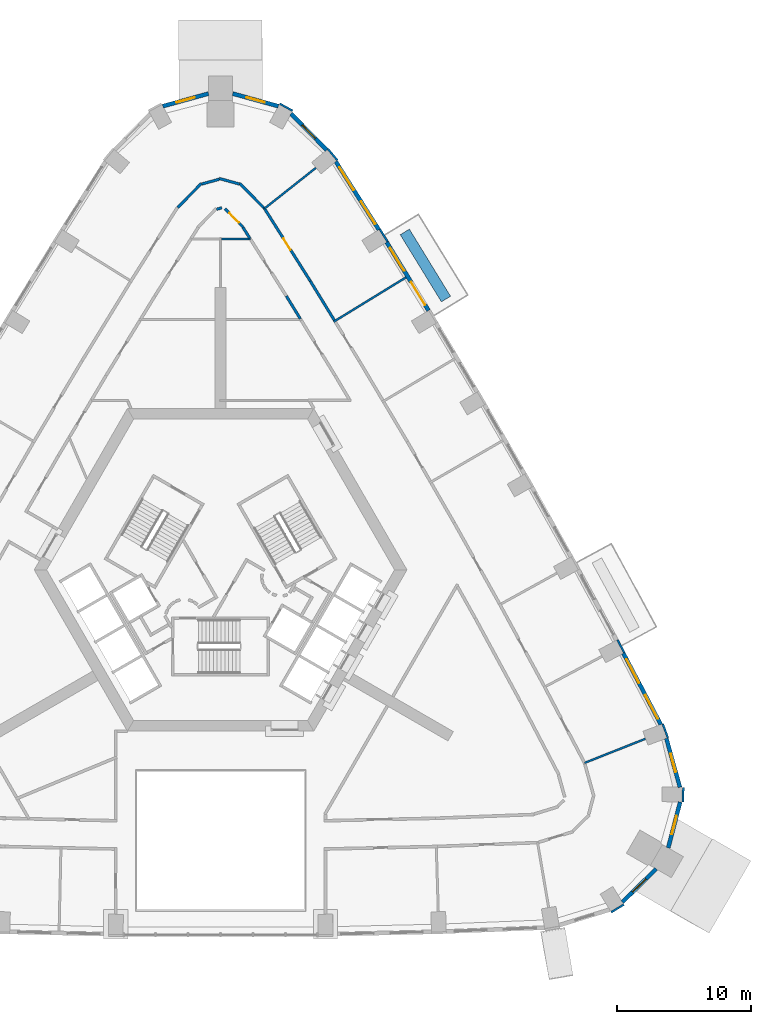
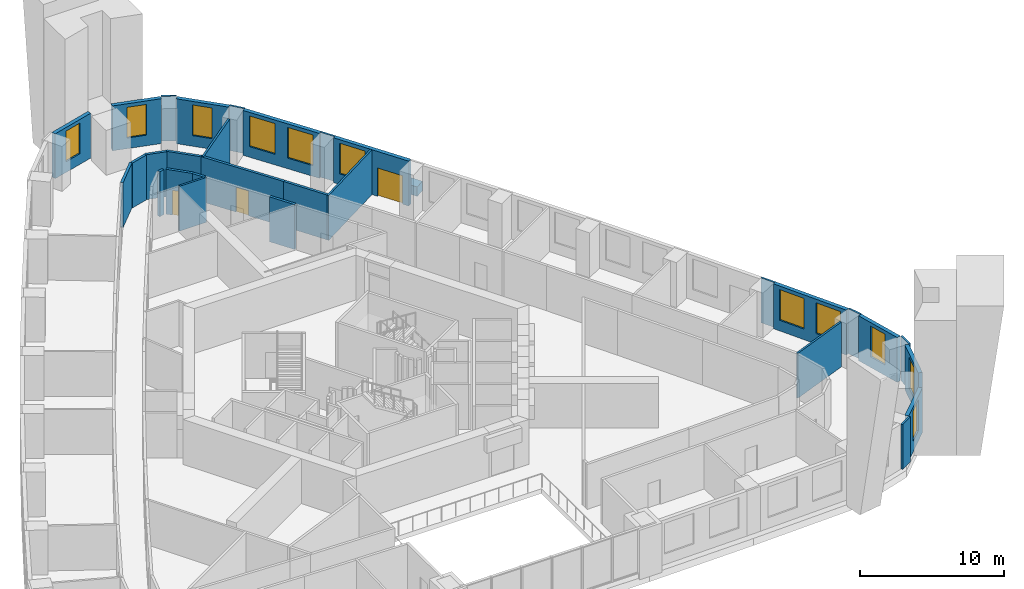
# One storey, part 10 of 15: 31 walls, 11 windows, 3 doors, 14 openings.
"""IFC4 building model written with IfcOpenShell, lengths in metres."""

import ifcopenshell
import ifcopenshell.guid

model = None  # the IFC model being written
_history = None  # IfcOwnerHistory: only IFC2X3 demands one
_inside = {}  # id of a spatial element -> (the spatial element, [elements in it])
_under = {}  # id of a project, library or spatial element -> (it, [spatial elements below it])
_declared = {}  # id of a project -> (the project, [libraries it declares])
_typed = {}  # id of a type object -> (the type object, [elements of that type])
_made_of = {}  # id of a material, layer set ... -> (it, [elements and type objects made of it])


def new_model(schema):
    """Start an empty IFC model of exactly this schema.

    Asked for "IFC4X3", IfcOpenShell would pick the latest addendum, in which some entities
    have other attributes; the version numbers below select the first issue.
    IFC2X3 requires an IfcOwnerHistory on every rooted entity: one is made here for all.
    """
    global model, _history
    if schema == "IFC4X3":
        model = ifcopenshell.file(schema_version=(4, 3, 0, 0))
    else:
        model = ifcopenshell.file(schema=schema)
    _inside.clear()
    _under.clear()
    _declared.clear()
    _typed.clear()
    _made_of.clear()
    _history = None
    if model.schema == "IFC2X3":
        org = make("IfcOrganization", Name="unknown")
        user = make(
            "IfcPersonAndOrganization",
            ThePerson=make("IfcPerson", FamilyName="unknown"),
            TheOrganization=org,
        )
        app = make(
            "IfcApplication",
            ApplicationDeveloper=org,
            Version="unknown",
            ApplicationFullName="unknown",
            ApplicationIdentifier="unknown",
        )
        _history = make(
            "IfcOwnerHistory",
            OwningUser=user,
            OwningApplication=app,
            ChangeAction="ADDED",
            CreationDate=0,
        )
    return model


def make(cls, **values):
    """One entity of the class cls with the attributes given. An attribute that is None is left unset."""
    return model.create_entity(
        cls, **{name: value for name, value in values.items() if value is not None}
    )


def rooted(cls, **values):
    """An entity with a GlobalId (a new one), such as an element, a storey or a relation."""
    return make(cls, GlobalId=ifcopenshell.guid.new(), OwnerHistory=_history, **values)


def si_unit(unit_type, name, prefix=None):
    """IfcSIUnit, for example si_unit("LENGTHUNIT", "METRE", prefix="MILLI")."""
    return make("IfcSIUnit", UnitType=unit_type, Prefix=prefix, Name=name)


def assignment(units):
    """IfcUnitAssignment: the units of a project."""
    return None if units is None else make("IfcUnitAssignment", Units=units)


def point(xyz):
    """IfcCartesianPoint."""
    return None if xyz is None else make("IfcCartesianPoint", Coordinates=xyz)


def direction(xyz):
    """IfcDirection."""
    return None if xyz is None else make("IfcDirection", DirectionRatios=xyz)


def frame(location, z_axis=None, x_axis=None):
    """IfcAxis2Placement3D, a coordinate frame: its origin and axes. An axis left out is left unset."""
    return make(
        "IfcAxis2Placement3D",
        Location=point(location),
        Axis=direction(z_axis),
        RefDirection=direction(x_axis),
    )


def frame_2d(location, x_axis=None):
    """IfcAxis2Placement2D, a coordinate frame in the plane: its origin and x axis."""
    return make(
        "IfcAxis2Placement2D", Location=point(location), RefDirection=direction(x_axis)
    )


def origin():
    """The frame at (0, 0, 0) with its axes left unset."""
    return frame((0.0, 0.0, 0.0))


def place(relative_to, where):
    """IfcLocalPlacement: puts the frame where relative to a parent placement (None: the world)."""
    return make(
        "IfcLocalPlacement", PlacementRelTo=relative_to, RelativePlacement=where
    )


def context(
    kind, dimensions, precision=None, world=None, true_north=None, identifier=None
):
    """IfcGeometricRepresentationContext, for example the 3D "Model" context."""
    return make(
        "IfcGeometricRepresentationContext",
        ContextIdentifier=identifier,
        ContextType=kind,
        CoordinateSpaceDimension=dimensions,
        Precision=precision,
        WorldCoordinateSystem=world,
        TrueNorth=true_north,
    )


def subcontext(parent, identifier, kind, view, scale=None):
    """IfcGeometricRepresentationSubContext, for example "Body" below "Model"."""
    return make(
        "IfcGeometricRepresentationSubContext",
        ContextIdentifier=identifier,
        ContextType=kind,
        ParentContext=parent,
        TargetScale=scale,
        TargetView=view,
    )


def project(units=None, contexts=None):
    """IfcProject with its units and contexts."""
    return rooted(
        "IfcProject",
        Name="project",
        RepresentationContexts=contexts,
        UnitsInContext=assignment(units),
    )


def spatial(cls, under=None, at=None, **own):
    """A site, building, storey or space (cls), placed at a placement, below another one or the project."""
    s = rooted(cls, ObjectPlacement=at, **own)
    if under is not None:
        _under.setdefault(under.id(), (under, []))[1].append(s)
    return s


def profile(cls, at=None, kind="AREA", **sizes):
    """A parametric profile (cls). Its sizes go by their IFC names, for example OverallWidth=200.0."""
    return make(cls, ProfileType=kind, Position=at, **sizes)


def rectangle(**sizes):
    """IfcRectangleProfileDef."""
    return profile("IfcRectangleProfileDef", **sizes)


def extrude(swept, where, along, depth):
    """IfcExtrudedAreaSolid: the profile swept, set in the frame where, extruded along a direction by depth."""
    return make(
        "IfcExtrudedAreaSolid",
        SweptArea=swept,
        Position=where,
        ExtrudedDirection=direction(along),
        Depth=depth,
    )


def shape(context_of_items, identifier, shape_type, items):
    """IfcShapeRepresentation: the items that make up one representation, for example the "Body"."""
    return make(
        "IfcShapeRepresentation",
        ContextOfItems=context_of_items,
        RepresentationIdentifier=identifier,
        RepresentationType=shape_type,
        Items=items,
    )


def material(Name=None, Category=None):
    """IfcMaterial."""
    return make("IfcMaterial", Name=Name, Category=Category)


def layer(
    of_material, thickness, ventilated=None, Name=None, Category=None, Priority=None
):
    """IfcMaterialLayer: one layer of a wall or slab, of a material (None: an air gap)."""
    return make(
        "IfcMaterialLayer",
        Material=of_material,
        LayerThickness=thickness,
        IsVentilated=ventilated,
        Name=Name,
        Category=Category,
        Priority=Priority,
    )


def layer_set(layers, Name=None):
    """IfcMaterialLayerSet."""
    return make("IfcMaterialLayerSet", MaterialLayers=layers, LayerSetName=Name)


def made_of(thing, what):
    """Note that an element or type object is made of a material, layer set ...; save() writes the relation."""
    if what is not None:
        _made_of.setdefault(what.id(), (what, []))[1].append(thing)
    return thing


def type_object(cls, material=None, **own):
    """A type object (cls), such as IfcWallType, which elements share."""
    return made_of(rooted(cls, **own), material)


def element(
    cls,
    number,
    at=None,
    inside=None,
    cuts=None,
    type_object=None,
    material=None,
    context=None,
    identifier="Body",
    shape_type=None,
    held_by="IfcProductDefinitionShape",
    body=None,
    shapes=None,
    **own,
):
    """One element of the class cls, such as IfcWall. Its Tag is "e" and its number.

    at: its placement. inside: the storey or other place that contains it. cuts: it is an
    opening in that element (IfcRelVoidsElement). A single representation is given by context,
    identifier, shape_type and body (its items); several are given by shapes. held_by: the class
    of the entity that holds the representations. save() writes the other relations.
    """
    e = rooted(cls, Tag="e%d" % number, ObjectPlacement=at, **own)
    if body is not None:
        shapes = [shape(context, identifier, shape_type, body)]
    if shapes is not None:
        e.Representation = make(held_by, Representations=shapes)
    if inside is not None:
        _inside.setdefault(inside.id(), (inside, []))[1].append(e)
    if cuts is not None:
        rooted(
            "IfcRelVoidsElement", RelatingBuildingElement=cuts, RelatedOpeningElement=e
        )
    if type_object is not None:
        _typed.setdefault(type_object.id(), (type_object, []))[1].append(e)
    return made_of(e, material)


def fill(opening, filler):
    """IfcRelFillsElement: the door or window that sits in an opening."""
    return rooted(
        "IfcRelFillsElement",
        RelatingOpeningElement=opening,
        RelatedBuildingElement=filler,
    )


def aggregate(whole, parts):
    """IfcRelAggregates: a whole, such as a stair, and the parts it consists of."""
    return rooted("IfcRelAggregates", RelatingObject=whole, RelatedObjects=parts)


def save(model, path):
    """Write the relations noted so far, then the file.

    IfcRelAggregates (storeys below a building ...), IfcRelContainedInSpatialStructure (elements
    in a storey), IfcRelDefinesByType, IfcRelAssociatesMaterial and IfcRelDeclares: one each for
    every whole, place, type object, material and project.
    """
    for whole, parts in _under.values():
        aggregate(whole, parts)
    for where, things in _inside.values():
        rooted(
            "IfcRelContainedInSpatialStructure",
            RelatedElements=things,
            RelatingStructure=where,
        )
    for kind, things in _typed.values():
        rooted("IfcRelDefinesByType", RelatedObjects=things, RelatingType=kind)
    for what, things in _made_of.values():
        rooted("IfcRelAssociatesMaterial", RelatedObjects=things, RelatingMaterial=what)
    for by, libraries in _declared.values():
        rooted("IfcRelDeclares", RelatingContext=by, RelatedDefinitions=libraries)
    model.write(path)


model = new_model("IFC4")

# Units and contexts
model_context = context("Model", 3, precision=1e-05, world=origin(), true_north=direction((0.0, 1.0)))
body_context = subcontext(model_context, "Body", "Model", "MODEL_VIEW")
ifc_project = project(units=[si_unit("LENGTHUNIT", "METRE"), si_unit("AREAUNIT", "SQUARE_METRE"), si_unit("VOLUMEUNIT", "CUBIC_METRE"), si_unit("PLANEANGLEUNIT", "RADIAN"), si_unit("MASSUNIT", "GRAM", prefix="KILO")], contexts=[model_context])

# Site, building, storey
site_placement = place(None, origin())
site = spatial("IfcSite", under=ifc_project, at=site_placement, CompositionType="ELEMENT")
building_placement = place(site_placement, origin())
building = spatial("IfcBuilding", under=site, at=building_placement, Name="Entoto Arch Interchange Tower", CompositionType="ELEMENT")
storey_placement = place(building_placement, frame((0.0, 0.0, 150.800048828125)))
storey = spatial("IfcBuildingStorey", under=building, at=storey_placement, Name="L33", CompositionType="ELEMENT", Elevation=150.800048828125)

# Walls
ifc_material_1 = material(Name="Gypsum board partition on steel studs", Category="steel")
ifc_layer_1 = layer(ifc_material_1, 0.14990234375)
ifc_layer_set_1 = layer_set([ifc_layer_1], Name="Gypsum board partition on steel studs")
wall_type_1 = type_object("IfcWallType", Name="PARTITION 150", PredefinedType="PARTITIONING", material=ifc_layer_set_1)
wall_1_placement = place(storey_placement, frame((0.050048828125, 27.10009765625, 0.0), z_axis=(0.0, 0.0, 1.0), x_axis=(1.0, 0.0, 0.0)))
element("IfcWall", 1, at=wall_1_placement, inside=storey, type_object=wall_type_1, Name="wall:L33:p116", PredefinedType="PARTITIONING", context=body_context, shape_type="SweptSolid", body=[
    extrude(rectangle(XDim=2.157958984375, YDim=0.14990234375, at=frame_2d((1.0791015625, 0.0))), origin(), (0.0, 0.0, 1.0), 3.800048828125),
])
wall_2_placement = place(storey_placement, frame((27.05908203125, -11.85498046875, 0.0), z_axis=(0.0, 0.0, 1.0), x_axis=(0.92964843089, 0.368447818481, 0.0)))
element("IfcWall", 2, at=wall_2_placement, inside=storey, type_object=wall_type_1, Name="wall:L33:p125", PredefinedType="PARTITIONING", context=body_context, shape_type="SweptSolid", body=[
    extrude(rectangle(XDim=4.8662109375, YDim=0.14990234375, at=frame_2d((2.43310546875, 0.0))), origin(), (0.0, 0.0, 1.0), 3.800048828125),
])
wall_3_placement = place(storey_placement, frame((8.406005859375, 20.947021484375, 0.0), z_axis=(0.0, 0.0, 1.0), x_axis=(0.852529956042, 0.522678365777, 0.0)))
element("IfcWall", 3, at=wall_3_placement, inside=storey, type_object=wall_type_1, Name="wall:L33:p130", PredefinedType="PARTITIONING", context=body_context, shape_type="SweptSolid", body=[
    extrude(rectangle(XDim=6.30029296875, YDim=0.14990234375, at=frame_2d((3.150146484375, 0.0))), origin(), (0.0, 0.0, 1.0), 3.800048828125),
])
wall_4_placement = place(storey_placement, frame((3.261962890625, 29.362060546875, 0.0), z_axis=(0.0, 0.0, 1.0), x_axis=(0.78403972141, 0.620710653406, 0.0)))
element("IfcWall", 4, at=wall_4_placement, inside=storey, type_object=wall_type_1, Name="wall:L33:p131", PredefinedType="PARTITIONING", context=body_context, shape_type="SweptSolid", body=[
    extrude(rectangle(XDim=4.866943359375, YDim=0.14990234375, at=frame_2d((2.43359375, 0.0))), origin(), (0.0, 0.0, 1.0), 3.800048828125),
])
ifc_layer_2 = layer(ifc_material_1, 0.199951171875)
ifc_layer_set_2 = layer_set([ifc_layer_2], Name="Gypsum board partition on steel studs")
wall_type_2 = type_object("IfcWallType", Name="PARTITION 200", PredefinedType="PARTITIONING", material=ifc_layer_set_2)
wall_5_placement = place(storey_placement, frame((5.927001953125, 21.1640625, 0.0), z_axis=(0.0, 0.0, 1.0), x_axis=(-0.522754838565, 0.852483066552, 0.0)))
element("IfcWall", 5, at=wall_5_placement, inside=storey, type_object=wall_type_2, Name="wall:L33:p011", PredefinedType="PARTITIONING", context=body_context, shape_type="SweptSolid", body=[
    extrude(rectangle(XDim=1.989501953125, YDim=0.199951171875, at=frame_2d((0.99462890625, 0.0))), origin(), (0.0, 0.0, 1.0), 3.800048828125),
])
wall_6_placement = place(storey_placement, frame((2.1669921875, 27.1630859375, 0.0), z_axis=(0.0, 0.0, 1.0), x_axis=(-0.533944629884, 0.845519445204, 0.0)))
element("IfcWall", 6, at=wall_6_placement, inside=storey, type_object=wall_type_2, Name="wall:L33:p015", PredefinedType="PARTITIONING", context=body_context, shape_type="SweptSolid", body=[
    extrude(rectangle(XDim=0.94970703125, YDim=0.199951171875, at=frame_2d((0.474853515625, 0.0))), origin(), (0.0, 0.0, 1.0), 3.800048828125),
])

# Wall, opening, door
wall_7_placement = place(storey_placement, frame((1.677001953125, 27.97900390625, 0.0), z_axis=(0.0, 0.0, 1.0), x_axis=(-0.700357727804, 0.713792023705, 0.0)))
wall_7 = element("IfcWall", 7, at=wall_7_placement, inside=storey, type_object=wall_type_2, Name="wall:L33:p016", PredefinedType="PARTITIONING", context=body_context, shape_type="SweptSolid", body=[
    extrude(rectangle(XDim=1.92626953125, YDim=0.199951171875, at=frame_2d((0.963134765625, 0.0))), origin(), (0.0, 0.0, 1.0), 3.800048828125),
])
opening_1_placement = place(wall_7_placement, frame((0.462890625, 0.0, 0.0)))
opening_1 = element("IfcOpeningElement", 8, at=opening_1_placement, cuts=wall_7, Name="Opening L33-D23", PredefinedType="OPENING", context=body_context, shape_type="SweptSolid", body=[
    extrude(rectangle(XDim=1.0, YDim=2.10009765625, at=frame_2d((0.5, 1.050048828125))), frame((0.0, 0.10986328125, 0.0), z_axis=(0.0, -1.0, 0.0), x_axis=(1.0, 0.0, 0.0)), (0.0, 0.0, 1.0), 0.219970703125),
])
ifc_material_2 = material(Name="Timber door leaf in Steel S235 frame", Category="steel")
door_type_1 = type_object("IfcDoorType", Name="DOOR DS-10 1000x2100", OperationType="SINGLE_SWING_LEFT", PredefinedType="DOOR", material=ifc_material_2)
door_1_placement = place(opening_1_placement, origin())
door_1 = element("IfcDoor", 9, at=door_1_placement, inside=storey, type_object=door_type_1, Name="door:L33:23", OperationType="SINGLE_SWING_LEFT", OverallHeight=2.10009765625, OverallWidth=1.0, PredefinedType="DOOR", context=body_context, shape_type="SweptSolid", body=[
    extrude(rectangle(XDim=1.0, YDim=2.10009765625, at=frame_2d((0.5, 1.050048828125))), frame((0.0, 0.02490234375, 0.0), z_axis=(0.0, -1.0, 0.0), x_axis=(1.0, 0.0, 0.0)), (0.0, 0.0, 1.0), 0.050048828125),
])
fill(opening_1, door_1)

# Wall
wall_8_placement = place(storey_placement, frame((0.095947265625, 29.4189453125, 0.0), z_axis=(0.0, 0.0, 1.0), x_axis=(-0.963940323387, -0.266118494187, 0.0)))
element("IfcWall", 10, at=wall_8_placement, inside=storey, type_object=wall_type_2, Name="wall:L33:p017", PredefinedType="PARTITIONING", context=body_context, shape_type="SweptSolid", body=[
    extrude(rectangle(XDim=0.412841796875, YDim=0.199951171875, at=frame_2d((0.20654296875, 0.0))), origin(), (0.0, 0.0, 1.0), 3.800048828125),
])

# Wall, opening, door
wall_9_placement = place(storey_placement, frame((3.208984375, 29.446044921875, 0.0), z_axis=(0.0, 0.0, 1.0), x_axis=(0.534253865926, -0.845324083854, 0.0)))
wall_9 = element("IfcWall", 11, at=wall_9_placement, inside=storey, type_object=wall_type_2, Name="wall:L33:p054", PredefinedType="PARTITIONING", context=body_context, shape_type="SweptSolid", body=[
    extrude(rectangle(XDim=6.47802734375, YDim=0.199951171875, at=frame_2d((3.239013671875, 0.0))), origin(), (0.0, 0.0, 1.0), 3.800048828125),
])
opening_2_placement = place(wall_9_placement, frame((2.739013671875, 0.0, 0.0)))
opening_2 = element("IfcOpeningElement", 12, at=opening_2_placement, cuts=wall_9, Name="Opening L33-D09", PredefinedType="OPENING", context=body_context, shape_type="SweptSolid", body=[
    extrude(rectangle(XDim=1.0, YDim=2.10009765625, at=frame_2d((0.5, 1.050048828125))), frame((0.0, 0.10986328125, 0.0), z_axis=(0.0, -1.0, 0.0), x_axis=(1.0, 0.0, 0.0)), (0.0, 0.0, 1.0), 0.219970703125),
])
door_2_placement = place(opening_2_placement, origin())
door_2 = element("IfcDoor", 13, at=door_2_placement, inside=storey, type_object=door_type_1, Name="door:L33:09", OperationType="SINGLE_SWING_LEFT", OverallHeight=2.10009765625, OverallWidth=1.0, PredefinedType="DOOR", context=body_context, shape_type="SweptSolid", body=[
    extrude(rectangle(XDim=1.0, YDim=2.10009765625, at=frame_2d((0.5, 1.050048828125))), frame((0.0, 0.02490234375, 0.0), z_axis=(0.0, -1.0, 0.0), x_axis=(1.0, 0.0, 0.0)), (0.0, 0.0, 1.0), 0.050048828125),
])
fill(opening_2, door_2)

# Walls
wall_10_placement = place(storey_placement, frame((6.669921875, 23.969970703125, 0.0), z_axis=(0.0, 0.0, 1.0), x_axis=(0.522622501212, -0.85256420358, 0.0)))
element("IfcWall", 14, at=wall_10_placement, inside=storey, type_object=wall_type_2, Name="wall:L33:p055", PredefinedType="PARTITIONING", context=body_context, shape_type="SweptSolid", body=[
    extrude(rectangle(XDim=3.40966796875, YDim=0.199951171875, at=frame_2d((1.704833984375, 0.0))), origin(), (0.0, 0.0, 1.0), 3.800048828125),
])
wall_11_placement = place(storey_placement, frame((-3.19189453125, 29.43310546875, 0.0), z_axis=(0.0, 0.0, 1.0), x_axis=(0.700326668838, 0.713822496783, 0.0)))
element("IfcWall", 15, at=wall_11_placement, inside=storey, type_object=wall_type_2, Name="wall:L33:p057", PredefinedType="PARTITIONING", context=body_context, shape_type="SweptSolid", body=[
    extrude(rectangle(XDim=2.514404296875, YDim=0.199951171875, at=frame_2d((1.25732421875, 0.0))), origin(), (0.0, 0.0, 1.0), 3.800048828125),
])
wall_12_placement = place(storey_placement, frame((-1.404052734375, 31.18310546875, 0.0), z_axis=(0.0, 0.0, 1.0), x_axis=(0.963995798992, 0.265917467508, 0.0)))
element("IfcWall", 16, at=wall_12_placement, inside=storey, type_object=wall_type_2, Name="wall:L33:p058", PredefinedType="PARTITIONING", context=body_context, shape_type="SweptSolid", body=[
    extrude(rectangle(XDim=1.35693359375, YDim=0.199951171875, at=frame_2d((0.678466796875, 0.0))), origin(), (0.0, 0.0, 1.0), 3.800048828125),
])
wall_13_placement = place(storey_placement, frame((-0.095947265625, 31.596923828125, 0.0), z_axis=(0.0, 0.0, 1.0), x_axis=(0.963988457226, -0.265944081217, 0.0)))
element("IfcWall", 17, at=wall_13_placement, inside=storey, type_object=wall_type_2, Name="wall:L33:p059", PredefinedType="PARTITIONING", context=body_context, shape_type="SweptSolid", body=[
    extrude(rectangle(XDim=1.55615234375, YDim=0.199951171875, at=frame_2d((0.778076171875, 0.0))), origin(), (0.0, 0.0, 1.0), 3.800048828125),
])
wall_14_placement = place(storey_placement, frame((1.430908203125, 31.22802734375, 0.0), z_axis=(0.0, 0.0, 1.0), x_axis=(0.700326668838, -0.713822496783, 0.0)))
element("IfcWall", 18, at=wall_14_placement, inside=storey, type_object=wall_type_2, Name="wall:L33:p060", PredefinedType="PARTITIONING", context=body_context, shape_type="SweptSolid", body=[
    extrude(rectangle(XDim=2.514404296875, YDim=0.199951171875, at=frame_2d((1.25732421875, 0.0))), origin(), (0.0, 0.0, 1.0), 3.800048828125),
])
ifc_material_3 = material(Name="Board-marked precast concrete C50/60", Category="concrete")
ifc_layer_3 = layer(ifc_material_3, 0.800048828125)
ifc_layer_set_3 = layer_set([ifc_layer_3], Name="Board-marked precast concrete C50/60")
wall_type_3 = type_object("IfcWallType", Name="PLANTER RC 800 Afrocarpus falcatus", PredefinedType="STANDARD", material=ifc_layer_set_3)
wall_15_placement = place(storey_placement, frame((16.757080078125, 22.632080078125, 0.0), z_axis=(0.0, 0.0, 1.0), x_axis=(-0.52278978303, 0.852461637119, 0.0)))
element("IfcWall", 19, at=wall_15_placement, inside=storey, type_object=wall_type_3, Name="Planter NE-06 L33", PredefinedType="STANDARD", context=body_context, shape_type="SweptSolid", body=[
    extrude(rectangle(XDim=5.857177734375, YDim=0.800048828125, at=frame_2d((2.9287109375, 0.0))), origin(), (0.0, 0.0, 1.0), 0.800048828125),
])

# Wall, opening, window
ifc_material_4 = material(Name="Welded tuff (ignimbrite) cladding, warm buff", Category="masonry")
ifc_layer_4 = layer(ifc_material_4, 0.300048828125)
ifc_layer_set_4 = layer_set([ifc_layer_4], Name="Welded tuff (ignimbrite) cladding, warm buff")
wall_type_4 = type_object("IfcWallType", Name="STONE INFILL WALL 300", PredefinedType="STANDARD", material=ifc_layer_set_4)
wall_16_placement = place(storey_placement, frame((29.8720703125, -22.20703125, 0.0), z_axis=(0.0, 0.0, 1.0), x_axis=(0.712043314899, 0.702135540838, 0.0)))
wall_16 = element("IfcWall", 20, at=wall_16_placement, inside=storey, type_object=wall_type_4, Name="Facade wall SE-02 L33", PredefinedType="STANDARD", context=body_context, shape_type="SweptSolid", body=[
    extrude(rectangle(XDim=3.523681640625, YDim=0.300048828125, at=frame_2d((1.76171875, 0.0))), origin(), (0.0, 0.0, 1.0), 3.800048828125),
])
opening_3_placement = place(wall_16_placement, frame((1.06201171875, 0.0, 0.89990234375)))
opening_3 = element("IfcOpeningElement", 21, at=opening_3_placement, cuts=wall_16, Name="Opening WO-B", PredefinedType="OPENING", context=body_context, shape_type="SweptSolid", body=[
    extrude(rectangle(XDim=1.39990234375, YDim=2.60009765625, at=frame_2d((0.699951171875, 1.300048828125))), frame((0.0, 0.16015625, 0.0), z_axis=(0.0, -1.0, 0.0), x_axis=(1.0, 0.0, 0.0)), (0.0, 0.0, 1.0), 0.320068359375),
])
ifc_material_5 = material(Name="Clear glass, low-e double glazed", Category="glass")
window_type_1 = type_object("IfcWindowType", Name="WINDOW WO-B 1400x2600", PartitioningType="DOUBLE_PANEL_VERTICAL", PredefinedType="WINDOW", material=ifc_material_5)
window_1_placement = place(opening_3_placement, origin())
window_1 = element("IfcWindow", 22, at=window_1_placement, inside=storey, type_object=window_type_1, Name="Window WO-B SE-02 L33", OverallHeight=2.60009765625, OverallWidth=1.39990234375, PartitioningType="SINGLE_PANEL", PredefinedType="WINDOW", context=body_context, shape_type="SweptSolid", body=[
    extrude(rectangle(XDim=1.39990234375, YDim=2.60009765625, at=frame_2d((0.699951171875, 1.300048828125))), frame((0.0, 0.030029296875, 0.0), z_axis=(0.0, -1.0, 0.0), x_axis=(1.0, 0.0, 0.0)), (0.0, 0.0, 1.0), 0.06005859375),
])
fill(opening_3, window_1)

wall_17_placement = place(storey_placement, frame((33.280029296875, -18.176025390625, 0.0), z_axis=(0.0, 0.0, 1.0), x_axis=(0.252255494168, 0.967660666588, 0.0)))
wall_17 = element("IfcWall", 23, at=wall_17_placement, inside=storey, type_object=wall_type_4, Name="Facade wall SE-03 L33", PredefinedType="STANDARD", context=body_context, shape_type="SweptSolid", body=[
    extrude(rectangle(XDim=3.52392578125, YDim=0.300048828125, at=frame_2d((1.761962890625, 0.0))), origin(), (0.0, 0.0, 1.0), 3.800048828125),
])
opening_4_placement = place(wall_17_placement, frame((1.06201171875, 0.0, 0.89990234375)))
opening_4 = element("IfcOpeningElement", 24, at=opening_4_placement, cuts=wall_17, Name="Opening WO-B", PredefinedType="OPENING", context=body_context, shape_type="SweptSolid", body=[
    extrude(rectangle(XDim=1.39990234375, YDim=2.60009765625, at=frame_2d((0.699951171875, 1.300048828125))), frame((0.0, 0.16015625, 0.0), z_axis=(0.0, -1.0, 0.0), x_axis=(1.0, 0.0, 0.0)), (0.0, 0.0, 1.0), 0.320068359375),
])
window_2_placement = place(opening_4_placement, origin())
window_2 = element("IfcWindow", 25, at=window_2_placement, inside=storey, type_object=window_type_1, Name="Window WO-B SE-03 L33", OverallHeight=2.60009765625, OverallWidth=1.39990234375, PartitioningType="SINGLE_PANEL", PredefinedType="WINDOW", context=body_context, shape_type="SweptSolid", body=[
    extrude(rectangle(XDim=1.39990234375, YDim=2.60009765625, at=frame_2d((0.699951171875, 1.300048828125))), frame((0.0, 0.030029296875, 0.0), z_axis=(0.0, -1.0, 0.0), x_axis=(1.0, 0.0, 0.0)), (0.0, 0.0, 1.0), 0.06005859375),
])
fill(opening_4, window_2)

wall_18_placement = place(storey_placement, frame((34.154052734375, -13.6669921875, 0.0), z_axis=(0.0, 0.0, 1.0), x_axis=(-0.26799398221, 0.963420585985, 0.0)))
wall_18 = element("IfcWall", 26, at=wall_18_placement, inside=storey, type_object=wall_type_4, Name="Facade wall SE-04 L33", PredefinedType="STANDARD", context=body_context, shape_type="SweptSolid", body=[
    extrude(rectangle(XDim=3.776123046875, YDim=0.300048828125, at=frame_2d((1.88818359375, 0.0))), origin(), (0.0, 0.0, 1.0), 3.800048828125),
])
opening_5_placement = place(wall_18_placement, frame((1.18798828125, 0.0, 0.89990234375)))
opening_5 = element("IfcOpeningElement", 27, at=opening_5_placement, cuts=wall_18, Name="Opening WO-B", PredefinedType="OPENING", context=body_context, shape_type="SweptSolid", body=[
    extrude(rectangle(XDim=1.39990234375, YDim=2.60009765625, at=frame_2d((0.699951171875, 1.300048828125))), frame((0.0, 0.16015625, 0.0), z_axis=(0.0, -1.0, 0.0), x_axis=(1.0, 0.0, 0.0)), (0.0, 0.0, 1.0), 0.320068359375),
])
window_3_placement = place(opening_5_placement, origin())
window_3 = element("IfcWindow", 28, at=window_3_placement, inside=storey, type_object=window_type_1, Name="Window WO-B SE-04 L33", OverallHeight=2.60009765625, OverallWidth=1.39990234375, PartitioningType="SINGLE_PANEL", PredefinedType="WINDOW", context=body_context, shape_type="SweptSolid", body=[
    extrude(rectangle(XDim=1.39990234375, YDim=2.60009765625, at=frame_2d((0.699951171875, 1.300048828125))), frame((0.0, 0.030029296875, 0.0), z_axis=(0.0, -1.0, 0.0), x_axis=(1.0, 0.0, 0.0)), (0.0, 0.0, 1.0), 0.06005859375),
])
fill(opening_5, window_3)

# Wall, openings, windows
wall_19_placement = place(storey_placement, frame((32.737060546875, -9.008056640625, 0.0), z_axis=(0.0, 0.0, 1.0), x_axis=(-0.465104650407, 0.885255705528, 0.0)))
wall_19 = element("IfcWall", 29, at=wall_19_placement, inside=storey, type_object=wall_type_4, Name="Facade wall NE-01 L33", PredefinedType="STANDARD", context=body_context, shape_type="SweptSolid", body=[
    extrude(rectangle(XDim=5.990234375, YDim=0.300048828125, at=frame_2d((2.9951171875, 0.0))), origin(), (0.0, 0.0, 1.0), 3.800048828125),
])
opening_6_placement = place(wall_19_placement, frame((0.498046875, 0.0, 0.89990234375)))
opening_6 = element("IfcOpeningElement", 30, at=opening_6_placement, cuts=wall_19, Name="Opening WO-C", PredefinedType="OPENING", context=body_context, shape_type="SweptSolid", body=[
    extrude(rectangle(XDim=2.0, YDim=2.60009765625, at=frame_2d((1.0, 1.300048828125))), frame((0.0, 0.16015625, 0.0), z_axis=(0.0, -1.0, 0.0), x_axis=(1.0, 0.0, 0.0)), (0.0, 0.0, 1.0), 0.320068359375),
])
opening_7_placement = place(wall_19_placement, frame((3.492919921875, 0.0, 0.89990234375)))
opening_7 = element("IfcOpeningElement", 31, at=opening_7_placement, cuts=wall_19, Name="Opening WO-C", PredefinedType="OPENING", context=body_context, shape_type="SweptSolid", body=[
    extrude(rectangle(XDim=2.0, YDim=2.60009765625, at=frame_2d((1.0, 1.300048828125))), frame((0.0, 0.16015625, 0.0), z_axis=(0.0, -1.0, 0.0), x_axis=(1.0, 0.0, 0.0)), (0.0, 0.0, 1.0), 0.320068359375),
])
window_type_2 = type_object("IfcWindowType", Name="WINDOW WO-C 2000x2600", PartitioningType="DOUBLE_PANEL_VERTICAL", PredefinedType="WINDOW", material=ifc_material_5)
window_4_placement = place(opening_6_placement, origin())
window_4 = element("IfcWindow", 32, at=window_4_placement, inside=storey, type_object=window_type_2, Name="Window WO-C NE-01 L33", OverallHeight=2.60009765625, OverallWidth=2.0, PartitioningType="SINGLE_PANEL", PredefinedType="WINDOW", context=body_context, shape_type="SweptSolid", body=[
    extrude(rectangle(XDim=2.0, YDim=2.60009765625, at=frame_2d((1.0, 1.300048828125))), frame((0.0, 0.030029296875, 0.0), z_axis=(0.0, -1.0, 0.0), x_axis=(1.0, 0.0, 0.0)), (0.0, 0.0, 1.0), 0.06005859375),
])
fill(opening_6, window_4)
window_5_placement = place(opening_7_placement, origin())
window_5 = element("IfcWindow", 33, at=window_5_placement, inside=storey, type_object=window_type_2, Name="Window WO-C NE-01 L33", OverallHeight=2.60009765625, OverallWidth=2.0, PartitioningType="SINGLE_PANEL", PredefinedType="WINDOW", context=body_context, shape_type="SweptSolid", body=[
    extrude(rectangle(XDim=2.0, YDim=2.60009765625, at=frame_2d((1.0, 1.300048828125))), frame((0.0, 0.030029296875, 0.0), z_axis=(0.0, -1.0, 0.0), x_axis=(1.0, 0.0, 0.0)), (0.0, 0.0, 1.0), 0.06005859375),
])
fill(opening_7, window_5)

# Wall, openings, door, window
wall_20_placement = place(storey_placement, frame((15.4619140625, 21.779052734375, 0.0), z_axis=(0.0, 0.0, 1.0), x_axis=(-0.522704272908, 0.852514072074, 0.0)))
wall_20 = element("IfcWall", 34, at=wall_20_placement, inside=storey, type_object=wall_type_4, Name="Facade wall NE-06 L33", PredefinedType="STANDARD", context=body_context, shape_type="SweptSolid", body=[
    extrude(rectangle(XDim=5.95751953125, YDim=0.300048828125, at=frame_2d((2.978759765625, 0.0))), origin(), (0.0, 0.0, 1.0), 3.800048828125),
])
opening_8_placement = place(wall_20_placement, frame((0.489013671875, 0.0, 0.0)))
opening_8 = element("IfcOpeningElement", 35, at=opening_8_placement, cuts=wall_20, Name="Opening DB-NE-06-L33", PredefinedType="OPENING", context=body_context, shape_type="SweptSolid", body=[
    extrude(rectangle(XDim=2.0, YDim=2.39990234375, at=frame_2d((1.0, 1.199951171875))), frame((0.0, 0.16015625, 0.0), z_axis=(0.0, -1.0, 0.0), x_axis=(1.0, 0.0, 0.0)), (0.0, 0.0, 1.0), 0.320068359375),
])
opening_9_placement = place(wall_20_placement, frame((3.468017578125, 0.0, 0.89990234375)))
opening_9 = element("IfcOpeningElement", 36, at=opening_9_placement, cuts=wall_20, Name="Opening WO-C", PredefinedType="OPENING", context=body_context, shape_type="SweptSolid", body=[
    extrude(rectangle(XDim=2.0, YDim=2.60009765625, at=frame_2d((1.0, 1.300048828125))), frame((0.0, 0.16015625, 0.0), z_axis=(0.0, -1.0, 0.0), x_axis=(1.0, 0.0, 0.0)), (0.0, 0.0, 1.0), 0.320068359375),
])
ifc_material_6 = material(Name="Aluminium and clear glass, anodised", Category="aluminium")
door_type_2 = type_object("IfcDoorType", Name="BALCONY DOOR DB 2000x2400", OperationType="SLIDING_TO_LEFT", PredefinedType="DOOR", material=ifc_material_6)
door_3_placement = place(opening_8_placement, origin())
door_3 = element("IfcDoor", 37, at=door_3_placement, inside=storey, type_object=door_type_2, Name="Balcony door NE-06 L33", OperationType="SLIDING_TO_LEFT", OverallHeight=2.39990234375, OverallWidth=2.0, PredefinedType="DOOR", context=body_context, shape_type="SweptSolid", body=[
    extrude(rectangle(XDim=2.0, YDim=2.39990234375, at=frame_2d((1.0, 1.199951171875))), frame((0.0, 0.02490234375, 0.0), z_axis=(0.0, -1.0, 0.0), x_axis=(1.0, 0.0, 0.0)), (0.0, 0.0, 1.0), 0.050048828125),
])
fill(opening_8, door_3)
window_6_placement = place(opening_9_placement, origin())
window_6 = element("IfcWindow", 38, at=window_6_placement, inside=storey, type_object=window_type_2, Name="Window WO-C NE-06 L33", OverallHeight=2.60009765625, OverallWidth=2.0, PartitioningType="SINGLE_PANEL", PredefinedType="WINDOW", context=body_context, shape_type="SweptSolid", body=[
    extrude(rectangle(XDim=2.0, YDim=2.60009765625, at=frame_2d((1.0, 1.300048828125))), frame((0.0, 0.030029296875, 0.0), z_axis=(0.0, -1.0, 0.0), x_axis=(1.0, 0.0, 0.0)), (0.0, 0.0, 1.0), 0.06005859375),
])
fill(opening_9, window_6)

# Wall, openings, windows
wall_21_placement = place(storey_placement, frame((11.76708984375, 27.7900390625, 0.0), z_axis=(0.0, 0.0, 1.0), x_axis=(-0.534262775953, 0.845318452556, 0.0)))
wall_21 = element("IfcWall", 39, at=wall_21_placement, inside=storey, type_object=wall_type_4, Name="Facade wall NE-07 L33", PredefinedType="STANDARD", context=body_context, shape_type="SweptSolid", body=[
    extrude(rectangle(XDim=5.99169921875, YDim=0.300048828125, at=frame_2d((2.995849609375, 0.0))), origin(), (0.0, 0.0, 1.0), 3.800048828125),
])
opening_10_placement = place(wall_21_placement, frame((0.498046875, 0.0, 0.89990234375)))
opening_10 = element("IfcOpeningElement", 40, at=opening_10_placement, cuts=wall_21, Name="Opening WO-C", PredefinedType="OPENING", context=body_context, shape_type="SweptSolid", body=[
    extrude(rectangle(XDim=2.0, YDim=2.60009765625, at=frame_2d((1.0, 1.300048828125))), frame((0.0, 0.16015625, 0.0), z_axis=(0.0, -1.0, 0.0), x_axis=(1.0, 0.0, 0.0)), (0.0, 0.0, 1.0), 0.320068359375),
])
opening_11_placement = place(wall_21_placement, frame((3.493896484375, 0.0, 0.89990234375)))
opening_11 = element("IfcOpeningElement", 41, at=opening_11_placement, cuts=wall_21, Name="Opening WO-C", PredefinedType="OPENING", context=body_context, shape_type="SweptSolid", body=[
    extrude(rectangle(XDim=2.0, YDim=2.60009765625, at=frame_2d((1.0, 1.300048828125))), frame((0.0, 0.16015625, 0.0), z_axis=(0.0, -1.0, 0.0), x_axis=(1.0, 0.0, 0.0)), (0.0, 0.0, 1.0), 0.320068359375),
])
window_7_placement = place(opening_10_placement, origin())
window_7 = element("IfcWindow", 42, at=window_7_placement, inside=storey, type_object=window_type_2, Name="Window WO-C NE-07 L33", OverallHeight=2.60009765625, OverallWidth=2.0, PartitioningType="SINGLE_PANEL", PredefinedType="WINDOW", context=body_context, shape_type="SweptSolid", body=[
    extrude(rectangle(XDim=2.0, YDim=2.60009765625, at=frame_2d((1.0, 1.300048828125))), frame((0.0, 0.030029296875, 0.0), z_axis=(0.0, -1.0, 0.0), x_axis=(1.0, 0.0, 0.0)), (0.0, 0.0, 1.0), 0.06005859375),
])
fill(opening_10, window_7)
window_8_placement = place(opening_11_placement, origin())
window_8 = element("IfcWindow", 43, at=window_8_placement, inside=storey, type_object=window_type_2, Name="Window WO-C NE-07 L33", OverallHeight=2.60009765625, OverallWidth=2.0, PartitioningType="SINGLE_PANEL", PredefinedType="WINDOW", context=body_context, shape_type="SweptSolid", body=[
    extrude(rectangle(XDim=2.0, YDim=2.60009765625, at=frame_2d((1.0, 1.300048828125))), frame((0.0, 0.030029296875, 0.0), z_axis=(0.0, -1.0, 0.0), x_axis=(1.0, 0.0, 0.0)), (0.0, 0.0, 1.0), 0.06005859375),
])
fill(opening_11, window_8)

# Wall, opening, window
wall_22_placement = place(storey_placement, frame((7.885009765625, 33.717041015625, 0.0), z_axis=(0.0, 0.0, 1.0), x_axis=(-0.7003170466, 0.713831936973, 0.0)))
wall_22 = element("IfcWall", 44, at=wall_22_placement, inside=storey, type_object=wall_type_4, Name="Facade wall N-01 L33", PredefinedType="STANDARD", context=body_context, shape_type="SweptSolid", body=[
    extrude(rectangle(XDim=3.775390625, YDim=0.300048828125, at=frame_2d((1.8876953125, 0.0))), origin(), (0.0, 0.0, 1.0), 3.800048828125),
])
opening_12_placement = place(wall_22_placement, frame((1.18798828125, 0.0, 0.89990234375)))
opening_12 = element("IfcOpeningElement", 45, at=opening_12_placement, cuts=wall_22, Name="Opening WO-B", PredefinedType="OPENING", context=body_context, shape_type="SweptSolid", body=[
    extrude(rectangle(XDim=1.39990234375, YDim=2.60009765625, at=frame_2d((0.699951171875, 1.300048828125))), frame((0.0, 0.16015625, 0.0), z_axis=(0.0, -1.0, 0.0), x_axis=(1.0, 0.0, 0.0)), (0.0, 0.0, 1.0), 0.320068359375),
])
window_9_placement = place(opening_12_placement, origin())
window_9 = element("IfcWindow", 46, at=window_9_placement, inside=storey, type_object=window_type_1, Name="Window WO-B N-01 L33", OverallHeight=2.60009765625, OverallWidth=1.39990234375, PartitioningType="SINGLE_PANEL", PredefinedType="WINDOW", context=body_context, shape_type="SweptSolid", body=[
    extrude(rectangle(XDim=1.39990234375, YDim=2.60009765625, at=frame_2d((0.699951171875, 1.300048828125))), frame((0.0, 0.030029296875, 0.0), z_axis=(0.0, -1.0, 0.0), x_axis=(1.0, 0.0, 0.0)), (0.0, 0.0, 1.0), 0.06005859375),
])
fill(opening_12, window_9)

wall_23_placement = place(storey_placement, frame((4.2958984375, 36.972900390625, 0.0), z_axis=(0.0, 0.0, 1.0), x_axis=(-0.964069751151, 0.265649232853, 0.0)))
wall_23 = element("IfcWall", 47, at=wall_23_placement, inside=storey, type_object=wall_type_4, Name="Facade wall N-02 L33", PredefinedType="STANDARD", context=body_context, shape_type="SweptSolid", body=[
    extrude(rectangle(XDim=3.523681640625, YDim=0.300048828125, at=frame_2d((1.76171875, 0.0))), origin(), (0.0, 0.0, 1.0), 3.800048828125),
])
opening_13_placement = place(wall_23_placement, frame((1.06201171875, 0.0, 0.89990234375)))
opening_13 = element("IfcOpeningElement", 48, at=opening_13_placement, cuts=wall_23, Name="Opening WO-B", PredefinedType="OPENING", context=body_context, shape_type="SweptSolid", body=[
    extrude(rectangle(XDim=1.39990234375, YDim=2.60009765625, at=frame_2d((0.699951171875, 1.300048828125))), frame((0.0, 0.16015625, 0.0), z_axis=(0.0, -1.0, 0.0), x_axis=(1.0, 0.0, 0.0)), (0.0, 0.0, 1.0), 0.320068359375),
])
window_10_placement = place(opening_13_placement, origin())
window_10 = element("IfcWindow", 49, at=window_10_placement, inside=storey, type_object=window_type_1, Name="Window WO-B N-02 L33", OverallHeight=2.60009765625, OverallWidth=1.39990234375, PartitioningType="SINGLE_PANEL", PredefinedType="WINDOW", context=body_context, shape_type="SweptSolid", body=[
    extrude(rectangle(XDim=1.39990234375, YDim=2.60009765625, at=frame_2d((0.699951171875, 1.300048828125))), frame((0.0, 0.030029296875, 0.0), z_axis=(0.0, -1.0, 0.0), x_axis=(1.0, 0.0, 0.0)), (0.0, 0.0, 1.0), 0.06005859375),
])
fill(opening_13, window_10)

wall_24_placement = place(storey_placement, frame((-0.89892578125, 37.908935546875, 0.0), z_axis=(0.0, 0.0, 1.0), x_axis=(-0.964069751151, -0.265649232853, 0.0)))
wall_24 = element("IfcWall", 50, at=wall_24_placement, inside=storey, type_object=wall_type_4, Name="Facade wall N-03 L33", PredefinedType="STANDARD", context=body_context, shape_type="SweptSolid", body=[
    extrude(rectangle(XDim=3.523681640625, YDim=0.300048828125, at=frame_2d((1.76171875, 0.0))), origin(), (0.0, 0.0, 1.0), 3.800048828125),
])
opening_14_placement = place(wall_24_placement, frame((1.06201171875, 0.0, 0.89990234375)))
opening_14 = element("IfcOpeningElement", 51, at=opening_14_placement, cuts=wall_24, Name="Opening WO-B", PredefinedType="OPENING", context=body_context, shape_type="SweptSolid", body=[
    extrude(rectangle(XDim=1.39990234375, YDim=2.60009765625, at=frame_2d((0.699951171875, 1.300048828125))), frame((0.0, 0.16015625, 0.0), z_axis=(0.0, -1.0, 0.0), x_axis=(1.0, 0.0, 0.0)), (0.0, 0.0, 1.0), 0.320068359375),
])
window_11_placement = place(opening_14_placement, origin())
window_11 = element("IfcWindow", 52, at=window_11_placement, inside=storey, type_object=window_type_1, Name="Window WO-B N-03 L33", OverallHeight=2.60009765625, OverallWidth=1.39990234375, PartitioningType="SINGLE_PANEL", PredefinedType="WINDOW", context=body_context, shape_type="SweptSolid", body=[
    extrude(rectangle(XDim=1.39990234375, YDim=2.60009765625, at=frame_2d((0.699951171875, 1.300048828125))), frame((0.0, 0.030029296875, 0.0), z_axis=(0.0, -1.0, 0.0), x_axis=(1.0, 0.0, 0.0)), (0.0, 0.0, 1.0), 0.06005859375),
])
fill(opening_14, window_11)

# Walls
ifc_layer_5 = layer(ifc_material_4, 0.14990234375)
ifc_layer_set_5 = layer_set([ifc_layer_5], Name="Welded tuff (ignimbrite) cladding, warm buff")
wall_type_5 = type_object("IfcWallType", Name="STONE PIER CLADDING 150", PredefinedType="STANDARD", material=ifc_layer_set_5)
wall_25_placement = place(storey_placement, frame((5.361083984375, 36.6298828125, 0.0), z_axis=(0.0, 0.0, 1.0), x_axis=(-0.877836219403, 0.478960929414, 0.0)))
element("IfcWall", 53, at=wall_25_placement, inside=storey, type_object=wall_type_5, Name="Stone pier N1 L33", PredefinedType="STANDARD", context=body_context, shape_type="SweptSolid", body=[
    extrude(rectangle(XDim=1.1005859375, YDim=0.14990234375, at=frame_2d((0.55029296875, 0.0))), origin(), (0.0, 0.0, 1.0), 3.800048828125),
])
for number, where, z_axis, x_axis, name in (
    (54, (33.256103515625, -9.988037109375, 0.0), (0.0, 0.0, 1.0), (-0.346425160624, 0.93807761304, 0.0), "Stone pier NE01 L33"),
    (55, (30.02001953125, -3.6689453125, 0.0), (0.0, 0.0, 1.0), (-0.470058271093, 0.88263538439, 0.0), "Stone pier NE02 L33"),
):
    element("IfcWall", number, at=place(storey_placement, frame(where, z_axis=z_axis, x_axis=x_axis)), inside=storey, type_object=wall_type_5, Name=name, PredefinedType="STANDARD", context=body_context, shape_type="SweptSolid", body=[
        extrude(rectangle(XDim=1.10009765625, YDim=0.14990234375, at=frame_2d((0.550048828125, 0.0))), origin(), (0.0, 0.0, 1.0), 3.800048828125),
    ])
wall_26_placement = place(storey_placement, frame((12.416015625, 26.89892578125, 0.0), z_axis=(0.0, 0.0, 1.0), x_axis=(-0.529879262372, 0.848073090782, 0.0)))
element("IfcWall", 56, at=wall_26_placement, inside=storey, type_object=wall_type_5, Name="Stone pier NE07 L33", PredefinedType="STANDARD", context=body_context, shape_type="SweptSolid", body=[
    extrude(rectangle(XDim=1.100341796875, YDim=0.14990234375, at=frame_2d((0.55029296875, 0.0))), origin(), (0.0, 0.0, 1.0), 3.800048828125),
])
wall_27_placement = place(storey_placement, frame((8.680908203125, 32.948974609375, 0.0), z_axis=(0.0, 0.0, 1.0), x_axis=(-0.639070205934, 0.769148406933, 0.0)))
element("IfcWall", 57, at=wall_27_placement, inside=storey, type_object=wall_type_5, Name="Stone pier NE08 L33", PredefinedType="STANDARD", context=body_context, shape_type="SweptSolid", body=[
    extrude(rectangle(XDim=1.099853515625, YDim=0.14990234375, at=frame_2d((0.5498046875, 0.0))), origin(), (0.0, 0.0, 1.0), 3.800048828125),
])
wall_28_placement = place(storey_placement, frame((29.0419921875, -22.95703125, 0.0), z_axis=(0.0, 0.0, 1.0), x_axis=(0.854005542721, 0.520263907071, 0.0)))
element("IfcWall", 58, at=wall_28_placement, inside=storey, type_object=wall_type_5, Name="Stone pier SE1 L33", PredefinedType="STANDARD", context=body_context, shape_type="SweptSolid", body=[
    extrude(rectangle(XDim=1.099365234375, YDim=0.14990234375, at=frame_2d((0.5498046875, 0.0))), origin(), (0.0, 0.0, 1.0), 3.800048828125),
])
wall_29_placement = place(storey_placement, frame((34.376953125, -14.77197265625, 0.0), z_axis=(0.0, 0.0, 1.0), x_axis=(0.023744690764, 0.999718055084, 0.0)))
element("IfcWall", 59, at=wall_29_placement, inside=storey, type_object=wall_type_5, Name="Stone pier SE3 L33", PredefinedType="STANDARD", context=body_context, shape_type="SweptSolid", body=[
    extrude(rectangle(XDim=1.10009765625, YDim=0.14990234375, at=frame_2d((0.550048828125, 0.0))), origin(), (0.0, 0.0, 1.0), 3.800048828125),
])

save(model, "model.ifc")
